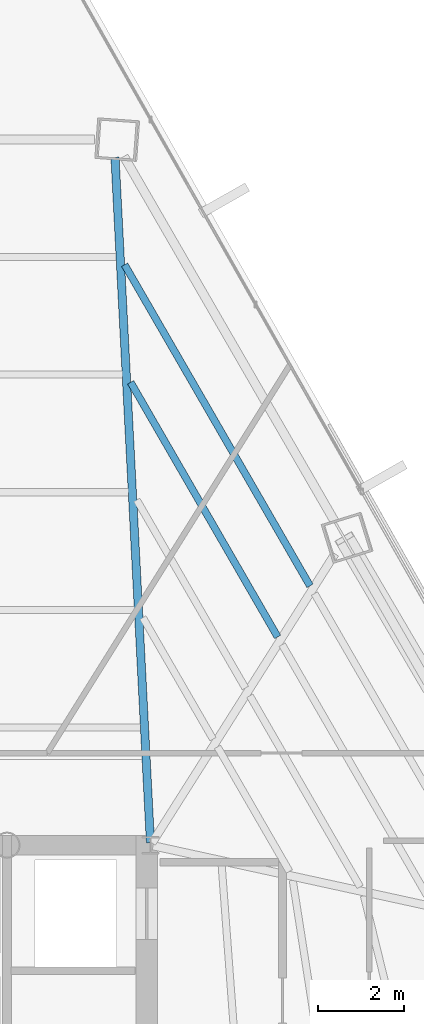
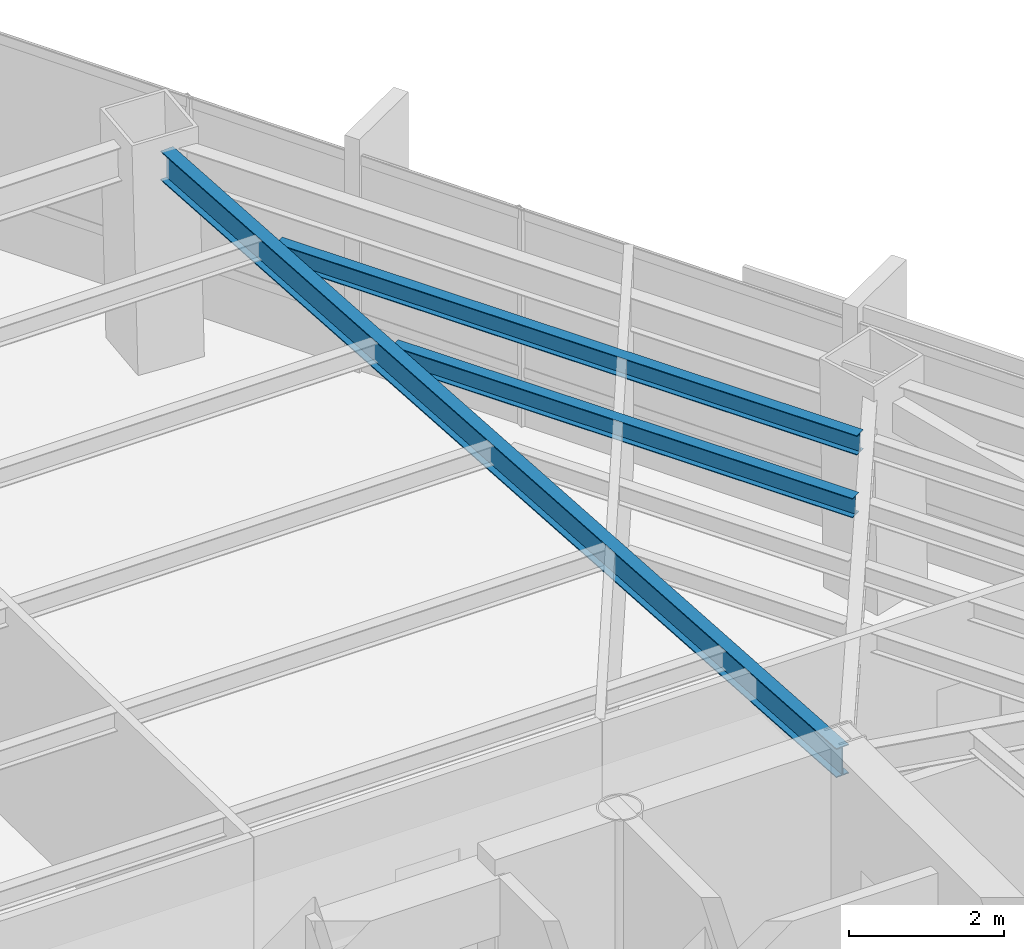
# One storey, part 31 of 41: 3 beams.
"""IFC4 building model written with IfcOpenShell, lengths in metres."""

import ifcopenshell
import ifcopenshell.guid

model = None  # the IFC model being written
_history = None  # IfcOwnerHistory: only IFC2X3 demands one
_inside = {}  # id of a spatial element -> (the spatial element, [elements in it])
_under = {}  # id of a project, library or spatial element -> (it, [spatial elements below it])
_declared = {}  # id of a project -> (the project, [libraries it declares])
_typed = {}  # id of a type object -> (the type object, [elements of that type])
_made_of = {}  # id of a material, layer set ... -> (it, [elements and type objects made of it])


def new_model(schema):
    """Start an empty IFC model of exactly this schema.

    Asked for "IFC4X3", IfcOpenShell would pick the latest addendum, in which some entities
    have other attributes; the version numbers below select the first issue.
    IFC2X3 requires an IfcOwnerHistory on every rooted entity: one is made here for all.
    """
    global model, _history
    if schema == "IFC4X3":
        model = ifcopenshell.file(schema_version=(4, 3, 0, 0))
    else:
        model = ifcopenshell.file(schema=schema)
    _inside.clear()
    _under.clear()
    _declared.clear()
    _typed.clear()
    _made_of.clear()
    _history = None
    if model.schema == "IFC2X3":
        org = make("IfcOrganization", Name="unknown")
        user = make(
            "IfcPersonAndOrganization",
            ThePerson=make("IfcPerson", FamilyName="unknown"),
            TheOrganization=org,
        )
        app = make(
            "IfcApplication",
            ApplicationDeveloper=org,
            Version="unknown",
            ApplicationFullName="unknown",
            ApplicationIdentifier="unknown",
        )
        _history = make(
            "IfcOwnerHistory",
            OwningUser=user,
            OwningApplication=app,
            ChangeAction="ADDED",
            CreationDate=0,
        )
    return model


def make(cls, **values):
    """One entity of the class cls with the attributes given. An attribute that is None is left unset."""
    return model.create_entity(
        cls, **{name: value for name, value in values.items() if value is not None}
    )


def rooted(cls, **values):
    """An entity with a GlobalId (a new one), such as an element, a storey or a relation."""
    return make(cls, GlobalId=ifcopenshell.guid.new(), OwnerHistory=_history, **values)


def si_unit(unit_type, name, prefix=None):
    """IfcSIUnit, for example si_unit("LENGTHUNIT", "METRE", prefix="MILLI")."""
    return make("IfcSIUnit", UnitType=unit_type, Prefix=prefix, Name=name)


def assignment(units):
    """IfcUnitAssignment: the units of a project."""
    return None if units is None else make("IfcUnitAssignment", Units=units)


def point(xyz):
    """IfcCartesianPoint."""
    return None if xyz is None else make("IfcCartesianPoint", Coordinates=xyz)


def direction(xyz):
    """IfcDirection."""
    return None if xyz is None else make("IfcDirection", DirectionRatios=xyz)


def frame(location, z_axis=None, x_axis=None):
    """IfcAxis2Placement3D, a coordinate frame: its origin and axes. An axis left out is left unset."""
    return make(
        "IfcAxis2Placement3D",
        Location=point(location),
        Axis=direction(z_axis),
        RefDirection=direction(x_axis),
    )


def frame_2d(location, x_axis=None):
    """IfcAxis2Placement2D, a coordinate frame in the plane: its origin and x axis."""
    return make(
        "IfcAxis2Placement2D", Location=point(location), RefDirection=direction(x_axis)
    )


def origin():
    """The frame at (0, 0, 0) with its axes left unset."""
    return frame((0.0, 0.0, 0.0))


def origin_2d():
    """The frame at (0, 0) in the plane with its x axis left unset."""
    return frame_2d((0.0, 0.0))


def place(relative_to, where):
    """IfcLocalPlacement: puts the frame where relative to a parent placement (None: the world)."""
    return make(
        "IfcLocalPlacement", PlacementRelTo=relative_to, RelativePlacement=where
    )


def context(
    kind, dimensions, precision=None, world=None, true_north=None, identifier=None
):
    """IfcGeometricRepresentationContext, for example the 3D "Model" context."""
    return make(
        "IfcGeometricRepresentationContext",
        ContextIdentifier=identifier,
        ContextType=kind,
        CoordinateSpaceDimension=dimensions,
        Precision=precision,
        WorldCoordinateSystem=world,
        TrueNorth=true_north,
    )


def subcontext(parent, identifier, kind, view, scale=None):
    """IfcGeometricRepresentationSubContext, for example "Body" below "Model"."""
    return make(
        "IfcGeometricRepresentationSubContext",
        ContextIdentifier=identifier,
        ContextType=kind,
        ParentContext=parent,
        TargetScale=scale,
        TargetView=view,
    )


def project(units=None, contexts=None):
    """IfcProject with its units and contexts."""
    return rooted(
        "IfcProject",
        Name="project",
        RepresentationContexts=contexts,
        UnitsInContext=assignment(units),
    )


def spatial(cls, under=None, at=None, **own):
    """A site, building, storey or space (cls), placed at a placement, below another one or the project."""
    s = rooted(cls, ObjectPlacement=at, **own)
    if under is not None:
        _under.setdefault(under.id(), (under, []))[1].append(s)
    return s


def profile(cls, at=None, kind="AREA", **sizes):
    """A parametric profile (cls). Its sizes go by their IFC names, for example OverallWidth=200.0."""
    return make(cls, ProfileType=kind, Position=at, **sizes)


def i_section(**sizes):
    """IfcIShapeProfileDef."""
    return profile("IfcIShapeProfileDef", **sizes)


def extrude(swept, where, along, depth):
    """IfcExtrudedAreaSolid: the profile swept, set in the frame where, extruded along a direction by depth."""
    return make(
        "IfcExtrudedAreaSolid",
        SweptArea=swept,
        Position=where,
        ExtrudedDirection=direction(along),
        Depth=depth,
    )


def shape(context_of_items, identifier, shape_type, items):
    """IfcShapeRepresentation: the items that make up one representation, for example the "Body"."""
    return make(
        "IfcShapeRepresentation",
        ContextOfItems=context_of_items,
        RepresentationIdentifier=identifier,
        RepresentationType=shape_type,
        Items=items,
    )


def source(mapping_origin, context_of_items, identifier, shape_type, items):
    """IfcRepresentationMap: a shape defined once, which mapped items show again and again."""
    return make(
        "IfcRepresentationMap",
        MappingOrigin=mapping_origin,
        MappedRepresentation=shape(context_of_items, identifier, shape_type, items),
    )


def transform(
    local_origin,
    x_axis=None,
    y_axis=None,
    z_axis=None,
    scale=None,
    scale2=None,
    scale3=None,
    uniform=True,
):
    """IfcCartesianTransformationOperator3D, or its non-uniform kind. x_axis, y_axis, z_axis: its Axis1, 2, 3."""
    if uniform:
        return make(
            "IfcCartesianTransformationOperator3D",
            Axis1=direction(x_axis),
            Axis2=direction(y_axis),
            LocalOrigin=point(local_origin),
            Scale=scale,
            Axis3=direction(z_axis),
        )
    return make(
        "IfcCartesianTransformationOperator3DnonUniform",
        Axis1=direction(x_axis),
        Axis2=direction(y_axis),
        LocalOrigin=point(local_origin),
        Scale=scale,
        Axis3=direction(z_axis),
        Scale2=scale2,
        Scale3=scale3,
    )


def mapped(mapping_source, mapping_target):
    """IfcMappedItem: shows the shape of a source again, moved by a transform."""
    return make(
        "IfcMappedItem", MappingSource=mapping_source, MappingTarget=mapping_target
    )


def material(Name=None, Category=None):
    """IfcMaterial."""
    return make("IfcMaterial", Name=Name, Category=Category)


def material_profile(
    of_material, cross_section, Name=None, Category=None, Priority=None
):
    """IfcMaterialProfile: a cross section and its material."""
    return make(
        "IfcMaterialProfile",
        Name=Name,
        Material=of_material,
        Profile=cross_section,
        Priority=Priority,
        Category=Category,
    )


def profile_set(profiles, Name=None, composite=None):
    """IfcMaterialProfileSet."""
    return make(
        "IfcMaterialProfileSet",
        Name=Name,
        MaterialProfiles=profiles,
        CompositeProfile=composite,
    )


def made_of(thing, what):
    """Note that an element or type object is made of a material, layer set ...; save() writes the relation."""
    if what is not None:
        _made_of.setdefault(what.id(), (what, []))[1].append(thing)
    return thing


def type_object(cls, material=None, **own):
    """A type object (cls), such as IfcWallType, which elements share."""
    return made_of(rooted(cls, **own), material)


def type_shapes(of_type, sources):
    """Give a type object the sources (RepresentationMaps) that its elements show as mapped items."""
    of_type.RepresentationMaps = sources


def element(
    cls,
    number,
    at=None,
    inside=None,
    cuts=None,
    type_object=None,
    material=None,
    context=None,
    identifier="Body",
    shape_type=None,
    held_by="IfcProductDefinitionShape",
    body=None,
    shapes=None,
    **own,
):
    """One element of the class cls, such as IfcWall. Its Tag is "e" and its number.

    at: its placement. inside: the storey or other place that contains it. cuts: it is an
    opening in that element (IfcRelVoidsElement). A single representation is given by context,
    identifier, shape_type and body (its items); several are given by shapes. held_by: the class
    of the entity that holds the representations. save() writes the other relations.
    """
    e = rooted(cls, Tag="e%d" % number, ObjectPlacement=at, **own)
    if body is not None:
        shapes = [shape(context, identifier, shape_type, body)]
    if shapes is not None:
        e.Representation = make(held_by, Representations=shapes)
    if inside is not None:
        _inside.setdefault(inside.id(), (inside, []))[1].append(e)
    if cuts is not None:
        rooted(
            "IfcRelVoidsElement", RelatingBuildingElement=cuts, RelatedOpeningElement=e
        )
    if type_object is not None:
        _typed.setdefault(type_object.id(), (type_object, []))[1].append(e)
    return made_of(e, material)


def aggregate(whole, parts):
    """IfcRelAggregates: a whole, such as a stair, and the parts it consists of."""
    return rooted("IfcRelAggregates", RelatingObject=whole, RelatedObjects=parts)


def save(model, path):
    """Write the relations noted so far, then the file.

    IfcRelAggregates (storeys below a building ...), IfcRelContainedInSpatialStructure (elements
    in a storey), IfcRelDefinesByType, IfcRelAssociatesMaterial and IfcRelDeclares: one each for
    every whole, place, type object, material and project.
    """
    for whole, parts in _under.values():
        aggregate(whole, parts)
    for where, things in _inside.values():
        rooted(
            "IfcRelContainedInSpatialStructure",
            RelatedElements=things,
            RelatingStructure=where,
        )
    for kind, things in _typed.values():
        rooted("IfcRelDefinesByType", RelatedObjects=things, RelatingType=kind)
    for what, things in _made_of.values():
        rooted("IfcRelAssociatesMaterial", RelatedObjects=things, RelatingMaterial=what)
    for by, libraries in _declared.values():
        rooted("IfcRelDeclares", RelatingContext=by, RelatedDefinitions=libraries)
    model.write(path)


model = new_model("IFC4")

# Units and contexts
model_context = context("Model", 3, precision=1e-05, world=origin(), true_north=direction((0.0, 1.0)))
body_context = subcontext(model_context, "Body", "Model", "MODEL_VIEW")
ifc_project = project(units=[si_unit("LENGTHUNIT", "METRE"), si_unit("AREAUNIT", "SQUARE_METRE"), si_unit("VOLUMEUNIT", "CUBIC_METRE"), si_unit("PLANEANGLEUNIT", "RADIAN"), si_unit("MASSUNIT", "GRAM", prefix="KILO")], contexts=[model_context])

# Site, building, storey
site_placement = place(None, origin())
site = spatial("IfcSite", under=ifc_project, at=site_placement, CompositionType="ELEMENT")
building_placement = place(site_placement, origin())
building = spatial("IfcBuilding", under=site, at=building_placement, Name="Caelisora Broadcast Tower", CompositionType="ELEMENT")
storey_placement = place(building_placement, frame((0.0, 0.0, 135.449951171875)))
storey = spatial("IfcBuildingStorey", under=building, at=storey_placement, Name="L35", CompositionType="ELEMENT", Elevation=135.449951171875)

# Beams
ifc_material = material(Name="Steel Grade 350 (AS/NZS 3679.1)", Category="steel")
ifc_material_profile_1 = material_profile(ifc_material, i_section(OverallWidth=0.19091796875, OverallDepth=0.46044921875, WebThickness=0.010009765625, FlangeThickness=0.01611328125, at=origin_2d()), Name="Steel Grade 350 (AS/NZS 3679.1)")
ifc_profile_set_1 = profile_set([ifc_material_profile_1], Name="Steel Grade 350 (AS/NZS 3679.1)")
beam_type_1 = type_object("IfcBeamType", Name="PG06", PredefinedType="BEAM", material=ifc_profile_set_1)
shared_shape_1 = source(origin(), body_context, "Body", "SweptSolid", [
    extrude(i_section(OverallWidth=0.19091796875, OverallDepth=0.46044921875, WebThickness=0.010009765625, FlangeThickness=0.01611328125, at=origin_2d()), origin(), (0.0, 0.0, 1.0), 16.010498046875),
])
type_shapes(beam_type_1, [shared_shape_1])
beam_1_placement = place(storey_placement, frame((45.496826171875, 30.059814453125, 3.169921875), z_axis=(-0.051663213944, 0.998664564468, 0.0), x_axis=(-0.998664564468, -0.051663213944, 0.0)))
element("IfcBeam", 1, at=beam_1_placement, inside=storey, type_object=beam_type_1, Name="L35 beam PG06", PredefinedType="BEAM", context=body_context, shape_type="MappedRepresentation", body=[
    mapped(shared_shape_1, transform((0.0, 0.0, 0.0), scale=1.0)),
])
ifc_material_profile_2 = material_profile(ifc_material, i_section(OverallWidth=0.166015625, OverallDepth=0.30712890625, WebThickness=0.006591796875, FlangeThickness=0.01171875, at=origin_2d()), Name="Steel Grade 350 (AS/NZS 3679.1)")
ifc_profile_set_2 = profile_set([ifc_material_profile_2], Name="Steel Grade 350 (AS/NZS 3679.1)")
beam_type_2 = type_object("IfcBeamType", Name="SB03", PredefinedType="JOIST", material=ifc_profile_set_2)
shared_shape_2 = source(origin(), body_context, "Body", "SweptSolid", [
    extrude(i_section(OverallWidth=0.166015625, OverallDepth=0.30712890625, WebThickness=0.006591796875, FlangeThickness=0.01171875, at=origin_2d()), origin(), (0.0, 0.0, 1.0), 6.858642578125),
])
beam_2_placement = place(storey_placement, frame((48.46484375, 34.859619140625, 3.246337890625), z_axis=(-0.500017227506, 0.866015457251, 0.0), x_axis=(-0.866015457251, -0.500017227506, 0.0)))
element("IfcBeam", 2, at=beam_2_placement, inside=storey, type_object=beam_type_2, Name="L35 beam SB03", PredefinedType="JOIST", context=body_context, shape_type="MappedRepresentation", body=[
    mapped(shared_shape_2, transform((0.0, 0.0, 0.0), scale=1.0)),
])
shared_shape_3 = source(origin(), body_context, "Body", "SweptSolid", [
    extrude(i_section(OverallWidth=0.166015625, OverallDepth=0.30712890625, WebThickness=0.006591796875, FlangeThickness=0.01171875, at=origin_2d()), origin(), (0.0, 0.0, 1.0), 8.6513671875),
])
type_shapes(beam_type_2, [shared_shape_2, shared_shape_3])
beam_3_placement = place(storey_placement, frame((49.21923828125, 36.0517578125, 3.246337890625), z_axis=(-0.499993599561, 0.866029099048, 0.0), x_axis=(-0.866029099048, -0.499993599561, 0.0)))
element("IfcBeam", 3, at=beam_3_placement, inside=storey, type_object=beam_type_2, Name="L35 beam SB03", PredefinedType="JOIST", context=body_context, shape_type="MappedRepresentation", body=[
    mapped(shared_shape_3, transform((0.0, 0.0, 0.0), scale=1.0)),
])

save(model, "model.ifc")
